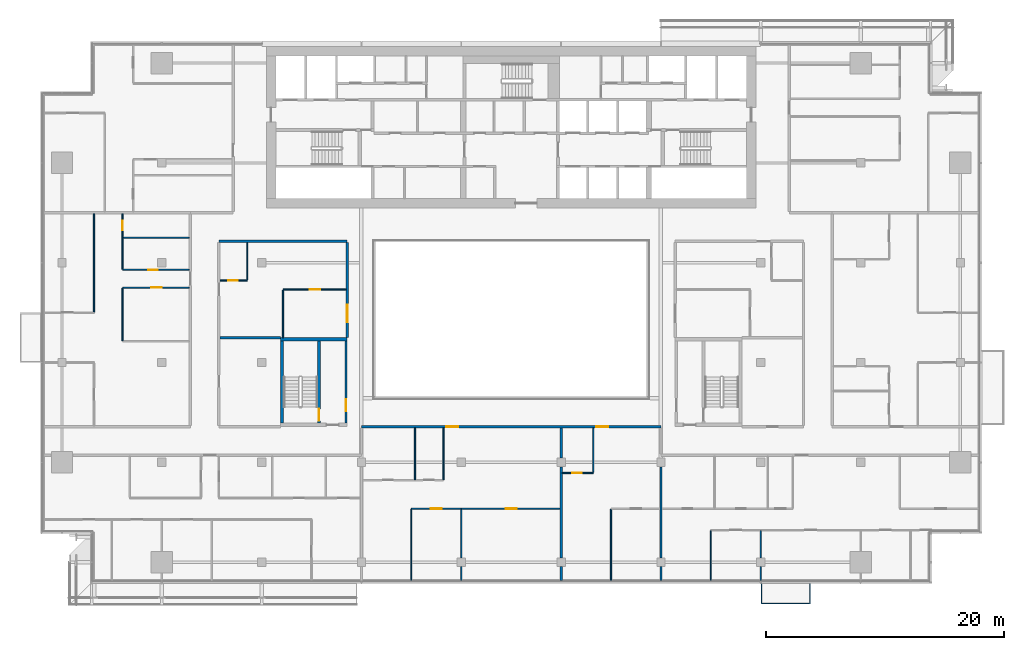
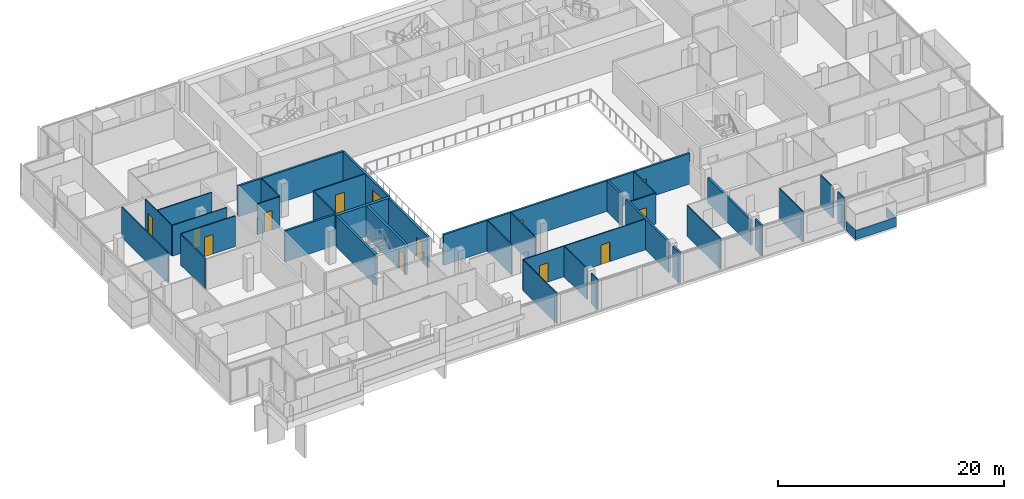
# One storey, part 18 of 30: 36 walls, 12 doors, 1 window, 13 openings.
"""IFC4 building model written with IfcOpenShell, lengths in metres."""

from ifc_helpers import new_model, si_unit, direction, frame, frame_2d, origin, place, context, subcontext, project, spatial, polyline, rectangle, outline, extrude, material, layer, layer_set, type_object, element, fill, save


model = new_model("IFC4")

# Units and contexts
model_context = context("Model", 3, precision=1e-05, world=origin(), true_north=direction((0.0, 1.0)))
body_context = subcontext(model_context, "Body", "Model", "MODEL_VIEW")
ifc_project = project(units=[si_unit("LENGTHUNIT", "METRE"), si_unit("AREAUNIT", "SQUARE_METRE"), si_unit("VOLUMEUNIT", "CUBIC_METRE"), si_unit("PLANEANGLEUNIT", "RADIAN"), si_unit("MASSUNIT", "GRAM", prefix="KILO")], contexts=[model_context])

# Site, building, storey
site_placement = place(None, origin())
site = spatial("IfcSite", under=ifc_project, at=site_placement, CompositionType="ELEMENT")
building_placement = place(site_placement, origin())
building = spatial("IfcBuilding", under=site, at=building_placement, Name="Saffron Gate Tower", CompositionType="ELEMENT")
storey_placement = place(building_placement, frame((0.0, 0.0, 169.050048828125)))
storey = spatial("IfcBuildingStorey", under=building, at=storey_placement, Name="L41", CompositionType="ELEMENT", Elevation=169.050048828125)

# Wall, opening, door
ifc_material_1 = material(Name="Gypsum board partition on steel studs", Category="steel")
ifc_layer_1 = layer(ifc_material_1, 0.199951171875)
ifc_layer_set_1 = layer_set([ifc_layer_1], Name="CW10 Core partition 200")
wall_type_1 = type_object("IfcWallType", Name="CW10 Core partition 200", PredefinedType="PARTITIONING", material=ifc_layer_set_1)
wall_1_placement = place(storey_placement, frame((73.699951171875, 43.5, 0.0), z_axis=(0.0, 0.0, 1.0), x_axis=(0.0, 1.0, 0.0)))
wall_1 = element("IfcWall", 1, at=wall_1_placement, inside=storey, type_object=wall_type_1, Name="Wall CW10-L41-D-4", PredefinedType="PARTITIONING", context=body_context, shape_type="SweptSolid", body=[
    extrude(rectangle(XDim=6.89990234375, YDim=0.199951171875, at=frame_2d((3.449951171875, 0.0))), origin(), (0.0, 0.0, 1.0), 3.320068359375),
])
opening_1_placement = place(wall_1_placement, frame((1.0, 0.0, 0.0)))
opening_1 = element("IfcOpeningElement", 2, at=opening_1_placement, cuts=wall_1, Name="Opening CR-19", PredefinedType="OPENING", context=body_context, shape_type="SweptSolid", body=[
    extrude(rectangle(XDim=1.0, YDim=2.10009765625, at=frame_2d((0.5, 1.050048828125))), frame((0.0, 0.10986328125, 0.0), z_axis=(0.0, -1.0, 0.0), x_axis=(1.0, 0.0, 0.0)), (0.0, 0.0, 1.0), 0.219970703125),
])
ifc_material_2 = material(Name="Steel fire door set", Category="steel")
door_type_1 = type_object("IfcDoorType", Name="CD4 Lobby door 1000x2100 EI 120", OperationType="NOTDEFINED", PredefinedType="DOOR", material=ifc_material_2)
door_1_placement = place(opening_1_placement, origin())
door_1 = element("IfcDoor", 3, at=door_1_placement, inside=storey, type_object=door_type_1, Name="DOOR CR-19", OperationType="SINGLE_SWING_RIGHT", OverallHeight=2.10009765625, OverallWidth=1.0, PredefinedType="DOOR", context=body_context, shape_type="SweptSolid", body=[
    extrude(rectangle(XDim=1.0, YDim=2.10009765625, at=frame_2d((0.5, 1.050048828125))), frame((0.0, 0.02490234375, 0.0), z_axis=(0.0, -1.0, 0.0), x_axis=(1.0, 0.0, 0.0)), (0.0, 0.0, 1.0), 0.050048828125),
])
fill(opening_1, door_1)

# Wall
ifc_material_3 = material(Name="Concrete C60", Category="concrete")
ifc_layer_2 = layer(ifc_material_3, 0.25)
ifc_layer_set_2 = layer_set([ifc_layer_2], Name="CW14 RC core wall 250 C60")
wall_type_2 = type_object("IfcWallType", Name="CW14 RC core wall 250 C60", PredefinedType="SOLIDWALL", material=ifc_layer_set_2)
wall_2_placement = place(storey_placement, frame((68.324951171875, 43.5, 0.0), z_axis=(0.0, 0.0, 1.0), x_axis=(0.0, 1.0, 0.0)))
element("IfcWall", 4, at=wall_2_placement, inside=storey, type_object=wall_type_2, Name="Wall CW14-L41-D-2", PredefinedType="SOLIDWALL", context=body_context, shape_type="SweptSolid", body=[
    extrude(rectangle(XDim=6.89990234375, YDim=0.25, at=frame_2d((3.449951171875, 0.0))), origin(), (0.0, 0.0, 1.0), 3.320068359375),
])

# Wall, opening, door
wall_3_placement = place(storey_placement, frame((71.425048828125, 43.5, 0.0), z_axis=(0.0, 0.0, 1.0), x_axis=(0.0, 1.0, 0.0)))
wall_3 = element("IfcWall", 5, at=wall_3_placement, inside=storey, type_object=wall_type_2, Name="Wall CW14-L41-D-3", PredefinedType="SOLIDWALL", context=body_context, shape_type="SweptSolid", body=[
    extrude(rectangle(XDim=6.89990234375, YDim=0.25, at=frame_2d((3.449951171875, 0.0))), origin(), (0.0, 0.0, 1.0), 3.320068359375),
])
opening_2_placement = place(wall_3_placement, frame((0.199951171875, 0.0, 0.0)))
opening_2 = element("IfcOpeningElement", 6, at=opening_2_placement, cuts=wall_3, Name="Opening CR-20", PredefinedType="OPENING", context=body_context, shape_type="SweptSolid", body=[
    extrude(rectangle(XDim=1.0, YDim=2.10009765625, at=frame_2d((0.5, 1.050048828125))), frame((0.0, 0.135009765625, 0.0), z_axis=(0.0, -1.0, 0.0), x_axis=(1.0, 0.0, 0.0)), (0.0, 0.0, 1.0), 0.27001953125),
])
door_type_2 = type_object("IfcDoorType", Name="CD5 Stair door 1000x2100 EI 120", OperationType="NOTDEFINED", PredefinedType="DOOR", material=ifc_material_2)
door_2_placement = place(opening_2_placement, origin())
door_2 = element("IfcDoor", 7, at=door_2_placement, inside=storey, type_object=door_type_2, Name="DOOR CR-20", OperationType="SINGLE_SWING_LEFT", OverallHeight=2.10009765625, OverallWidth=1.0, PredefinedType="DOOR", context=body_context, shape_type="SweptSolid", body=[
    extrude(rectangle(XDim=1.0, YDim=2.10009765625, at=frame_2d((0.5, 1.050048828125))), frame((0.0, 0.02490234375, 0.0), z_axis=(0.0, -1.0, 0.0), x_axis=(1.0, 0.0, 0.0)), (0.0, 0.0, 1.0), 0.050048828125),
])
fill(opening_2, door_2)

# Wall
ifc_layer_3 = layer(ifc_material_3, 0.300048828125)
ifc_layer_set_3 = layer_set([ifc_layer_3], Name="CW17 RC core wall 300 C60")
wall_type_3 = type_object("IfcWallType", Name="CW17 RC core wall 300 C60", PredefinedType="SOLIDWALL", material=ifc_layer_set_3)
wall_4_placement = place(storey_placement, frame((68.199951171875, 50.550048828125, 0.0), z_axis=(0.0, 0.0, 1.0), x_axis=(1.0, 0.0, 0.0)))
element("IfcWall", 8, at=wall_4_placement, inside=storey, type_object=wall_type_3, Name="Wall CW17-L41-D-5", PredefinedType="SOLIDWALL", context=body_context, shape_type="SweptSolid", body=[
    extrude(rectangle(XDim=5.60009765625, YDim=0.300048828125, at=frame_2d((2.800048828125, 0.0))), origin(), (0.0, 0.0, 1.0), 3.320068359375),
])

# Wall, openings, doors
ifc_material_4 = material(Name="Plasterboard on steel studs", Category="steel")
ifc_layer_4 = layer(ifc_material_4, 0.10009765625)
ifc_layer_set_4 = layer_set([ifc_layer_4], Name="PW1 Partition 100")
wall_type_4 = type_object("IfcWallType", Name="PW1 Partition 100", PredefinedType="PARTITIONING", material=ifc_layer_set_4)
wall_5_placement = place(storey_placement, frame((91.699951171875, 36.300048828125, 0.0), z_axis=(0.0, 0.0, 1.0), x_axis=(-1.0, 0.0, 0.0)))
wall_5 = element("IfcWall", 9, at=wall_5_placement, inside=storey, type_object=wall_type_4, Name="Partition C3-3", PredefinedType="PARTITIONING", context=body_context, shape_type="SweptSolid", body=[
    extrude(rectangle(XDim=12.5, YDim=0.10009765625, at=frame_2d((6.25, 0.0))), origin(), (0.0, 0.0, 1.0), 3.320068359375),
])
opening_3_placement = place(wall_5_placement, frame((3.64990234375, 0.0, 0.0)))
opening_3 = element("IfcOpeningElement", 10, at=opening_3_placement, cuts=wall_5, Name="Opening C3-18", PredefinedType="OPENING", context=body_context, shape_type="SweptSolid", body=[
    extrude(rectangle(XDim=0.89990234375, YDim=2.10009765625, at=frame_2d((0.449951171875, 1.050048828125))), frame((0.0, 0.06005859375, 0.0), z_axis=(0.0, -1.0, 0.0), x_axis=(1.0, 0.0, 0.0)), (0.0, 0.0, 1.0), 0.1201171875),
])
opening_4_placement = place(wall_5_placement, frame((9.949951171875, 0.0, 0.0)))
opening_4 = element("IfcOpeningElement", 11, at=opening_4_placement, cuts=wall_5, Name="Opening C3-17", PredefinedType="OPENING", context=body_context, shape_type="SweptSolid", body=[
    extrude(rectangle(XDim=0.89990234375, YDim=2.10009765625, at=frame_2d((0.449951171875, 1.050048828125))), frame((0.0, 0.06005859375, 0.0), z_axis=(0.0, -1.0, 0.0), x_axis=(1.0, 0.0, 0.0)), (0.0, 0.0, 1.0), 0.1201171875),
])
ifc_material_5 = material(Name="Timber door set", Category="wood")
door_type_3 = type_object("IfcDoorType", Name="RD1 Room door 900x2100", OperationType="NOTDEFINED", PredefinedType="DOOR", material=ifc_material_5)
door_3_placement = place(opening_3_placement, origin())
door_3 = element("IfcDoor", 12, at=door_3_placement, inside=storey, type_object=door_type_3, Name="Door C3-18", OperationType="SINGLE_SWING_LEFT", OverallHeight=2.10009765625, OverallWidth=0.89990234375, PredefinedType="DOOR", context=body_context, shape_type="SweptSolid", body=[
    extrude(rectangle(XDim=0.89990234375, YDim=2.10009765625, at=frame_2d((0.449951171875, 1.050048828125))), frame((0.0, 0.02490234375, 0.0), z_axis=(0.0, -1.0, 0.0), x_axis=(1.0, 0.0, 0.0)), (0.0, 0.0, 1.0), 0.050048828125),
])
fill(opening_3, door_3)
door_4_placement = place(opening_4_placement, origin())
door_4 = element("IfcDoor", 13, at=door_4_placement, inside=storey, type_object=door_type_3, Name="Door C3-17", OperationType="SINGLE_SWING_LEFT", OverallHeight=2.10009765625, OverallWidth=0.89990234375, PredefinedType="DOOR", context=body_context, shape_type="SweptSolid", body=[
    extrude(rectangle(XDim=0.89990234375, YDim=2.10009765625, at=frame_2d((0.449951171875, 1.050048828125))), frame((0.0, 0.02490234375, 0.0), z_axis=(0.0, -1.0, 0.0), x_axis=(1.0, 0.0, 0.0)), (0.0, 0.0, 1.0), 0.050048828125),
])
fill(opening_4, door_4)

# Wall, opening, door
wall_6_placement = place(storey_placement, frame((91.89990234375, 39.300048828125, 0.0), z_axis=(0.0, 0.0, 1.0), x_axis=(1.0, 0.0, 0.0)))
wall_6 = element("IfcWall", 14, at=wall_6_placement, inside=storey, type_object=wall_type_4, Name="Partition C3-8", PredefinedType="PARTITIONING", context=body_context, shape_type="SweptSolid", body=[
    extrude(rectangle(XDim=2.60009765625, YDim=0.10009765625, at=frame_2d((1.300048828125, 0.0))), origin(), (0.0, 0.0, 1.0), 3.320068359375),
])
opening_5_placement = place(wall_6_placement, frame((0.85009765625, 0.0, 0.0)))
opening_5 = element("IfcOpeningElement", 15, at=opening_5_placement, cuts=wall_6, Name="Opening C3-44", PredefinedType="OPENING", context=body_context, shape_type="SweptSolid", body=[
    extrude(rectangle(XDim=0.800048828125, YDim=2.10009765625, at=frame_2d((0.39990234375, 1.050048828125))), frame((0.0, 0.06005859375, 0.0), z_axis=(0.0, -1.0, 0.0), x_axis=(1.0, 0.0, 0.0)), (0.0, 0.0, 1.0), 0.1201171875),
])
door_type_4 = type_object("IfcDoorType", Name="RD2 Bathroom door 800x2100", OperationType="NOTDEFINED", PredefinedType="DOOR", material=ifc_material_5)
door_5_placement = place(opening_5_placement, origin())
door_5 = element("IfcDoor", 16, at=door_5_placement, inside=storey, type_object=door_type_4, Name="Door C3-44", OperationType="SINGLE_SWING_LEFT", OverallHeight=2.10009765625, OverallWidth=0.800048828125, PredefinedType="DOOR", context=body_context, shape_type="SweptSolid", body=[
    extrude(rectangle(XDim=0.800048828125, YDim=2.10009765625, at=frame_2d((0.39990234375, 1.050048828125))), frame((0.0, 0.02490234375, 0.0), z_axis=(0.0, -1.0, 0.0), x_axis=(1.0, 0.0, 0.0)), (0.0, 0.0, 1.0), 0.050048828125),
])
fill(opening_5, door_5)

wall_7_placement = place(storey_placement, frame((73.699951171875, 54.75, 0.0), z_axis=(0.0, 0.0, 1.0), x_axis=(-1.0, 0.0, 0.0)))
wall_7 = element("IfcWall", 17, at=wall_7_placement, inside=storey, type_object=wall_type_4, Name="Partition C3-30", PredefinedType="PARTITIONING", context=body_context, shape_type="SweptSolid", body=[
    extrude(rectangle(XDim=5.300048828125, YDim=0.10009765625, at=frame_2d((2.64990234375, 0.0))), origin(), (0.0, 0.0, 1.0), 3.320068359375),
])
opening_6_placement = place(wall_7_placement, frame((2.14990234375, 0.0, 0.0)))
opening_6 = element("IfcOpeningElement", 18, at=opening_6_placement, cuts=wall_7, Name="Opening C3-38", PredefinedType="OPENING", context=body_context, shape_type="SweptSolid", body=[
    extrude(rectangle(XDim=0.89990234375, YDim=2.10009765625, at=frame_2d((0.449951171875, 1.050048828125))), frame((0.0, 0.06005859375, 0.0), z_axis=(0.0, -1.0, 0.0), x_axis=(1.0, 0.0, 0.0)), (0.0, 0.0, 1.0), 0.1201171875),
])
door_6_placement = place(opening_6_placement, origin())
door_6 = element("IfcDoor", 19, at=door_6_placement, inside=storey, type_object=door_type_3, Name="Door C3-38", OperationType="SINGLE_SWING_LEFT", OverallHeight=2.10009765625, OverallWidth=0.89990234375, PredefinedType="DOOR", context=body_context, shape_type="SweptSolid", body=[
    extrude(rectangle(XDim=0.89990234375, YDim=2.10009765625, at=frame_2d((0.449951171875, 1.050048828125))), frame((0.0, 0.02490234375, 0.0), z_axis=(0.0, -1.0, 0.0), x_axis=(1.0, 0.0, 0.0)), (0.0, 0.0, 1.0), 0.050048828125),
])
fill(opening_6, door_6)

wall_8_placement = place(storey_placement, frame((60.5, 54.89990234375, 0.0), z_axis=(0.0, 0.0, 1.0), x_axis=(-1.0, 0.0, 0.0)))
wall_8 = element("IfcWall", 20, at=wall_8_placement, inside=storey, type_object=wall_type_4, Name="Partition C3-32", PredefinedType="PARTITIONING", context=body_context, shape_type="SweptSolid", body=[
    extrude(rectangle(XDim=5.60009765625, YDim=0.10009765625, at=frame_2d((2.800048828125, 0.0))), origin(), (0.0, 0.0, 1.0), 3.320068359375),
])
opening_7_placement = place(wall_8_placement, frame((2.300048828125, 0.0, 0.0)))
opening_7 = element("IfcOpeningElement", 21, at=opening_7_placement, cuts=wall_8, Name="Opening C3-28", PredefinedType="OPENING", context=body_context, shape_type="SweptSolid", body=[
    extrude(rectangle(XDim=0.89990234375, YDim=2.10009765625, at=frame_2d((0.449951171875, 1.050048828125))), frame((0.0, 0.06005859375, 0.0), z_axis=(0.0, -1.0, 0.0), x_axis=(1.0, 0.0, 0.0)), (0.0, 0.0, 1.0), 0.1201171875),
])
door_7_placement = place(opening_7_placement, origin())
door_7 = element("IfcDoor", 22, at=door_7_placement, inside=storey, type_object=door_type_3, Name="Door C3-28", OperationType="SINGLE_SWING_LEFT", OverallHeight=2.10009765625, OverallWidth=0.89990234375, PredefinedType="DOOR", context=body_context, shape_type="SweptSolid", body=[
    extrude(rectangle(XDim=0.89990234375, YDim=2.10009765625, at=frame_2d((0.449951171875, 1.050048828125))), frame((0.0, 0.02490234375, 0.0), z_axis=(0.0, -1.0, 0.0), x_axis=(1.0, 0.0, 0.0)), (0.0, 0.0, 1.0), 0.050048828125),
])
fill(opening_7, door_7)

wall_9_placement = place(storey_placement, frame((63.10009765625, 55.5, 0.0), z_axis=(0.0, 0.0, 1.0), x_axis=(1.0, 0.0, 0.0)))
wall_9 = element("IfcWall", 23, at=wall_9_placement, inside=storey, type_object=wall_type_4, Name="Partition C3-33", PredefinedType="PARTITIONING", context=body_context, shape_type="SweptSolid", body=[
    extrude(rectangle(XDim=2.2998046875, YDim=0.10009765625, at=frame_2d((1.14990234375, 0.0))), origin(), (0.0, 0.0, 1.0), 3.320068359375),
])
opening_8_placement = place(wall_9_placement, frame((0.699951171875, 0.0, 0.0)))
opening_8 = element("IfcOpeningElement", 24, at=opening_8_placement, cuts=wall_9, Name="Opening C3-53", PredefinedType="OPENING", context=body_context, shape_type="SweptSolid", body=[
    extrude(rectangle(XDim=0.800048828125, YDim=2.10009765625, at=frame_2d((0.39990234375, 1.050048828125))), frame((0.0, 0.06005859375, 0.0), z_axis=(0.0, -1.0, 0.0), x_axis=(1.0, 0.0, 0.0)), (0.0, 0.0, 1.0), 0.1201171875),
])
door_8_placement = place(opening_8_placement, origin())
door_8 = element("IfcDoor", 25, at=door_8_placement, inside=storey, type_object=door_type_4, Name="Door C3-53", OperationType="SINGLE_SWING_LEFT", OverallHeight=2.10009765625, OverallWidth=0.800048828125, PredefinedType="DOOR", context=body_context, shape_type="SweptSolid", body=[
    extrude(rectangle(XDim=0.800048828125, YDim=2.10009765625, at=frame_2d((0.39990234375, 1.050048828125))), frame((0.0, 0.02490234375, 0.0), z_axis=(0.0, -1.0, 0.0), x_axis=(1.0, 0.0, 0.0)), (0.0, 0.0, 1.0), 0.050048828125),
])
fill(opening_8, door_8)

wall_10_placement = place(storey_placement, frame((54.89990234375, 56.39990234375, 0.0), z_axis=(0.0, 0.0, 1.0), x_axis=(1.0, 0.0, 0.0)))
wall_10 = element("IfcWall", 26, at=wall_10_placement, inside=storey, type_object=wall_type_4, Name="Partition C3-35", PredefinedType="PARTITIONING", context=body_context, shape_type="SweptSolid", body=[
    extrude(rectangle(XDim=5.60009765625, YDim=0.10009765625, at=frame_2d((2.800048828125, 0.0))), origin(), (0.0, 0.0, 1.0), 3.320068359375),
])
opening_9_placement = place(wall_10_placement, frame((2.14990234375, 0.0, 0.0)))
opening_9 = element("IfcOpeningElement", 27, at=opening_9_placement, cuts=wall_10, Name="Opening C3-47", PredefinedType="OPENING", context=body_context, shape_type="SweptSolid", body=[
    extrude(rectangle(XDim=0.800048828125, YDim=2.10009765625, at=frame_2d((0.39990234375, 1.050048828125))), frame((0.0, 0.06005859375, 0.0), z_axis=(0.0, -1.0, 0.0), x_axis=(1.0, 0.0, 0.0)), (0.0, 0.0, 1.0), 0.1201171875),
])
door_9_placement = place(opening_9_placement, origin())
door_9 = element("IfcDoor", 28, at=door_9_placement, inside=storey, type_object=door_type_4, Name="Door C3-47", OperationType="SINGLE_SWING_LEFT", OverallHeight=2.10009765625, OverallWidth=0.800048828125, PredefinedType="DOOR", context=body_context, shape_type="SweptSolid", body=[
    extrude(rectangle(XDim=0.800048828125, YDim=2.10009765625, at=frame_2d((0.39990234375, 1.050048828125))), frame((0.0, 0.02490234375, 0.0), z_axis=(0.0, -1.0, 0.0), x_axis=(1.0, 0.0, 0.0)), (0.0, 0.0, 1.0), 0.050048828125),
])
fill(opening_9, door_9)

# Walls
wall_11_placement = place(storey_placement, frame((54.949951171875, 59.10009765625, 0.0), z_axis=(0.0, 0.0, 1.0), x_axis=(1.0, 0.0, 0.0)))
element("IfcWall", 29, at=wall_11_placement, inside=storey, type_object=wall_type_4, Name="Partition C3-40", PredefinedType="PARTITIONING", context=body_context, shape_type="SweptSolid", body=[
    extrude(rectangle(XDim=5.550048828125, YDim=0.10009765625, at=frame_2d((2.77490234375, 0.0))), origin(), (0.0, 0.0, 1.0), 3.320068359375),
])
wall_12_placement = place(storey_placement, frame((52.5, 61.10009765625, 0.0), z_axis=(0.0, 0.0, 1.0), x_axis=(0.0, -1.0, 0.0)))
element("IfcWall", 30, at=wall_12_placement, inside=storey, type_object=wall_type_4, Name="Partition C3-58", PredefinedType="PARTITIONING", context=body_context, shape_type="SweptSolid", body=[
    extrude(rectangle(XDim=8.25, YDim=0.10009765625, at=frame_2d((4.125, 0.0))), origin(), (0.0, 0.0, 1.0), 3.320068359375),
])
wall_13_placement = place(storey_placement, frame((54.89990234375, 54.85009765625, 0.0), z_axis=(0.0, 0.0, 1.0), x_axis=(0.0, -1.0, 0.0)))
element("IfcWall", 31, at=wall_13_placement, inside=storey, type_object=wall_type_4, Name="Partition C3-61", PredefinedType="PARTITIONING", context=body_context, shape_type="SweptSolid", body=[
    extrude(rectangle(XDim=4.406982421875, YDim=0.10009765625, at=frame_2d((2.20361328125, 0.0))), origin(), (0.0, 0.0, 1.0), 3.320068359375),
])

# Wall, opening, door
wall_14_placement = place(storey_placement, frame((54.89990234375, 61.10009765625, 0.0), z_axis=(0.0, 0.0, 1.0), x_axis=(0.0, -1.0, 0.0)))
wall_14 = element("IfcWall", 32, at=wall_14_placement, inside=storey, type_object=wall_type_4, Name="Partition C3-62", PredefinedType="PARTITIONING", context=body_context, shape_type="SweptSolid", body=[
    extrude(rectangle(XDim=4.650146484375, YDim=0.10009765625, at=frame_2d((2.3251953125, 0.0))), origin(), (0.0, 0.0, 1.0), 3.320068359375),
])
opening_10_placement = place(wall_14_placement, frame((0.550048828125, 0.0, 0.0)))
opening_10 = element("IfcOpeningElement", 33, at=opening_10_placement, cuts=wall_14, Name="Opening C3-48", PredefinedType="OPENING", context=body_context, shape_type="SweptSolid", body=[
    extrude(rectangle(XDim=0.800048828125, YDim=2.10009765625, at=frame_2d((0.39990234375, 1.050048828125))), frame((0.0, 0.06005859375, 0.0), z_axis=(0.0, -1.0, 0.0), x_axis=(1.0, 0.0, 0.0)), (0.0, 0.0, 1.0), 0.1201171875),
])
door_10_placement = place(opening_10_placement, origin())
door_10 = element("IfcDoor", 34, at=door_10_placement, inside=storey, type_object=door_type_4, Name="Door C3-48", OperationType="SINGLE_SWING_LEFT", OverallHeight=2.10009765625, OverallWidth=0.800048828125, PredefinedType="DOOR", context=body_context, shape_type="SweptSolid", body=[
    extrude(rectangle(XDim=0.800048828125, YDim=2.10009765625, at=frame_2d((0.39990234375, 1.050048828125))), frame((0.0, 0.02490234375, 0.0), z_axis=(0.0, -1.0, 0.0), x_axis=(1.0, 0.0, 0.0)), (0.0, 0.0, 1.0), 0.050048828125),
])
fill(opening_10, door_10)

# Walls
wall_15_placement = place(storey_placement, frame((65.39990234375, 58.699951171875, 0.0), z_axis=(0.0, 0.0, 1.0), x_axis=(0.0, -1.0, 0.0)))
element("IfcWall", 35, at=wall_15_placement, inside=storey, type_object=wall_type_4, Name="Partition C3-74", PredefinedType="PARTITIONING", context=body_context, shape_type="SweptSolid", body=[
    extrude(rectangle(XDim=3.14990234375, YDim=0.10009765625, at=frame_2d((1.574951171875, 0.0))), origin(), (0.0, 0.0, 1.0), 3.320068359375),
])
wall_16_placement = place(storey_placement, frame((68.39990234375, 54.699951171875, 0.0), z_axis=(0.0, 0.0, 1.0), x_axis=(0.0, -1.0, 0.0)))
element("IfcWall", 36, at=wall_16_placement, inside=storey, type_object=wall_type_4, Name="Partition C3-76", PredefinedType="PARTITIONING", context=body_context, shape_type="SweptSolid", body=[
    extrude(rectangle(XDim=4.0, YDim=0.10009765625, at=frame_2d((2.0, 0.0))), origin(), (0.0, 0.0, 1.0), 3.320068359375),
])
wall_17_placement = place(storey_placement, frame((79.199951171875, 36.25, 0.0), z_axis=(0.0, 0.0, 1.0), x_axis=(0.0, -1.0, 0.0)))
element("IfcWall", 37, at=wall_17_placement, inside=storey, type_object=wall_type_4, Name="Partition C3-83", PredefinedType="PARTITIONING", context=body_context, shape_type="SweptSolid", body=[
    extrude(rectangle(XDim=5.969970703125, YDim=0.10009765625, at=frame_2d((2.98486328125, 0.0))), origin(), (0.0, 0.0, 1.0), 3.320068359375),
])
for number, where, z_axis, x_axis, name in (
    (38, (79.5, 43.10009765625, 0.0), (0.0, 0.0, 1.0), (0.0, -1.0, 0.0), "Partition C3-84"),
    (39, (81.89990234375, 43.10009765625, 0.0), (0.0, 0.0, 1.0), (0.0, -1.0, 0.0), "Partition C3-85"),
):
    element("IfcWall", number, at=place(storey_placement, frame(where, z_axis=z_axis, x_axis=x_axis)), inside=storey, type_object=wall_type_4, Name=name, PredefinedType="PARTITIONING", context=body_context, shape_type="SweptSolid", body=[
        extrude(rectangle(XDim=4.35009765625, YDim=0.10009765625, at=frame_2d((2.175048828125, 0.0))), origin(), (0.0, 0.0, 1.0), 3.320068359375),
    ])
wall_18_placement = place(storey_placement, frame((83.39990234375, 31.429931640625, 0.0), z_axis=(0.0, 0.0, 1.0), x_axis=(0.0, -1.0, 0.0)))
element("IfcWall", 40, at=wall_18_placement, inside=storey, type_object=wall_type_4, Name="Partition C3-86", PredefinedType="PARTITIONING", context=body_context, shape_type="SweptSolid", body=[
    extrude(rectangle(XDim=1.14990234375, YDim=0.10009765625, at=frame_2d((0.574951171875, 0.0))), origin(), (0.0, 0.0, 1.0), 3.320068359375),
])
wall_19_placement = place(storey_placement, frame((83.39990234375, 36.25, 0.0), z_axis=(0.0, 0.0, 1.0), x_axis=(0.0, -1.0, 0.0)))
element("IfcWall", 41, at=wall_19_placement, inside=storey, type_object=wall_type_4, Name="Partition C3-87", PredefinedType="PARTITIONING", context=body_context, shape_type="SweptSolid", body=[
    extrude(rectangle(XDim=4.080078125, YDim=0.10009765625, at=frame_2d((2.0400390625, 0.0))), origin(), (0.0, 0.0, 1.0), 3.320068359375),
])
wall_20_placement = place(storey_placement, frame((94.5, 43.10009765625, 0.0), z_axis=(0.0, 0.0, 1.0), x_axis=(0.0, -1.0, 0.0)))
element("IfcWall", 42, at=wall_20_placement, inside=storey, type_object=wall_type_4, Name="Partition C3-91", PredefinedType="PARTITIONING", context=body_context, shape_type="SweptSolid", body=[
    extrude(rectangle(XDim=3.75, YDim=0.10009765625, at=frame_2d((1.875, 0.0))), origin(), (0.0, 0.0, 1.0), 3.320068359375),
])
wall_21_placement = place(storey_placement, frame((96.0, 36.25, 0.0), z_axis=(0.0, 0.0, 1.0), x_axis=(0.0, -1.0, 0.0)))
element("IfcWall", 43, at=wall_21_placement, inside=storey, type_object=wall_type_4, Name="Partition C3-92", PredefinedType="PARTITIONING", context=body_context, shape_type="SweptSolid", body=[
    extrude(rectangle(XDim=5.969970703125, YDim=0.10009765625, at=frame_2d((2.98486328125, 0.0))), origin(), (0.0, 0.0, 1.0), 3.320068359375),
])
wall_22_placement = place(storey_placement, frame((104.39990234375, 34.449951171875, 0.0), z_axis=(0.0, 0.0, 1.0), x_axis=(0.0, -1.0, 0.0)))
element("IfcWall", 44, at=wall_22_placement, inside=storey, type_object=wall_type_4, Name="Partition C3-97", PredefinedType="PARTITIONING", context=body_context, shape_type="SweptSolid", body=[
    extrude(rectangle(XDim=4.169921875, YDim=0.10009765625, at=frame_2d((2.0849609375, 0.0))), origin(), (0.0, 0.0, 1.0), 3.320068359375),
])
wall_23_placement = place(storey_placement, frame((108.60009765625, 31.429931640625, 0.0), z_axis=(0.0, 0.0, 1.0), x_axis=(0.0, -1.0, 0.0)))
element("IfcWall", 45, at=wall_23_placement, inside=storey, type_object=wall_type_4, Name="Partition C3-100", PredefinedType="PARTITIONING", context=body_context, shape_type="SweptSolid", body=[
    extrude(rectangle(XDim=1.14990234375, YDim=0.10009765625, at=frame_2d((0.574951171875, 0.0))), origin(), (0.0, 0.0, 1.0), 3.320068359375),
])
wall_24_placement = place(storey_placement, frame((108.60009765625, 34.449951171875, 0.0), z_axis=(0.0, 0.0, 1.0), x_axis=(0.0, -1.0, 0.0)))
element("IfcWall", 46, at=wall_24_placement, inside=storey, type_object=wall_type_4, Name="Partition C3-101", PredefinedType="PARTITIONING", context=body_context, shape_type="SweptSolid", body=[
    extrude(rectangle(XDim=2.280029296875, YDim=0.10009765625, at=frame_2d((1.14013671875, 0.0))), origin(), (0.0, 0.0, 1.0), 3.320068359375),
])
ifc_material_6 = material(Name="Clay brick masonry, rendered", Category="masonry")
ifc_layer_5 = layer(ifc_material_6, 0.199951171875)
ifc_layer_set_5 = layer_set([ifc_layer_5], Name="PW2 Demising wall 200")
wall_type_5 = type_object("IfcWallType", Name="PW2 Demising wall 200", PredefinedType="PARTITIONING", material=ifc_layer_set_5)
wall_25_placement = place(storey_placement, frame((63.10009765625, 50.699951171875, 0.0), z_axis=(0.0, 0.0, 1.0), x_axis=(1.0, 0.0, 0.0)))
element("IfcWall", 47, at=wall_25_placement, inside=storey, type_object=wall_type_5, Name="Wall C3-26", PredefinedType="PARTITIONING", context=body_context, shape_type="SweptSolid", body=[
    extrude(rectangle(XDim=5.099853515625, YDim=0.199951171875, at=frame_2d((2.5498046875, 0.0))), origin(), (0.0, 0.0, 1.0), 3.320068359375),
])
wall_26_placement = place(storey_placement, frame((91.800048828125, 31.429931640625, 0.0), z_axis=(0.0, 0.0, 1.0), x_axis=(0.0, -1.0, 0.0)))
element("IfcWall", 48, at=wall_26_placement, inside=storey, type_object=wall_type_5, Name="Wall C3-88", PredefinedType="PARTITIONING", context=body_context, shape_type="SweptSolid", body=[
    extrude(rectangle(XDim=1.14990234375, YDim=0.199951171875, at=frame_2d((0.574951171875, 0.0))), origin(), (0.0, 0.0, 1.0), 3.320068359375),
])
wall_27_placement = place(storey_placement, frame((91.800048828125, 39.830078125, 0.0), z_axis=(0.0, 0.0, 1.0), x_axis=(0.0, -1.0, 0.0)))
element("IfcWall", 49, at=wall_27_placement, inside=storey, type_object=wall_type_5, Name="Wall C3-89", PredefinedType="PARTITIONING", context=body_context, shape_type="SweptSolid", body=[
    extrude(rectangle(XDim=7.66015625, YDim=0.199951171875, at=frame_2d((3.830078125, 0.0))), origin(), (0.0, 0.0, 1.0), 3.320068359375),
])
wall_28_placement = place(storey_placement, frame((91.800048828125, 43.10009765625, 0.0), z_axis=(0.0, 0.0, 1.0), x_axis=(0.0, -1.0, 0.0)))
element("IfcWall", 50, at=wall_28_placement, inside=storey, type_object=wall_type_5, Name="Wall C3-90", PredefinedType="PARTITIONING", context=body_context, shape_type="SweptSolid", body=[
    extrude(rectangle(XDim=2.530029296875, YDim=0.199951171875, at=frame_2d((1.26513671875, 0.0))), origin(), (0.0, 0.0, 1.0), 3.320068359375),
])
wall_29_placement = place(storey_placement, frame((100.199951171875, 31.429931640625, 0.0), z_axis=(0.0, 0.0, 1.0), x_axis=(0.0, -1.0, 0.0)))
element("IfcWall", 51, at=wall_29_placement, inside=storey, type_object=wall_type_5, Name="Wall C3-94", PredefinedType="PARTITIONING", context=body_context, shape_type="SweptSolid", body=[
    extrude(rectangle(XDim=1.14990234375, YDim=0.199951171875, at=frame_2d((0.574951171875, 0.0))), origin(), (0.0, 0.0, 1.0), 3.320068359375),
])
wall_30_placement = place(storey_placement, frame((100.199951171875, 39.830078125, 0.0), z_axis=(0.0, 0.0, 1.0), x_axis=(0.0, -1.0, 0.0)))
element("IfcWall", 52, at=wall_30_placement, inside=storey, type_object=wall_type_5, Name="Wall C3-95", PredefinedType="PARTITIONING", context=body_context, shape_type="SweptSolid", body=[
    extrude(rectangle(XDim=7.66015625, YDim=0.199951171875, at=frame_2d((3.830078125, 0.0))), origin(), (0.0, 0.0, 1.0), 2.719970703125),
])

# Wall, openings, doors
ifc_layer_6 = layer(ifc_material_6, 0.199951171875)
ifc_layer_set_6 = layer_set([ifc_layer_6], Name="PW3 Corridor wall 200")
wall_type_6 = type_object("IfcWallType", Name="PW3 Corridor wall 200", PredefinedType="PARTITIONING", material=ifc_layer_set_6)
wall_31_placement = place(storey_placement, frame((100.199951171875, 43.199951171875, 0.0), z_axis=(0.0, 0.0, 1.0), x_axis=(-1.0, 0.0, 0.0)))
wall_31 = element("IfcWall", 53, at=wall_31_placement, inside=storey, type_object=wall_type_6, Name="Wall C3-15", PredefinedType="PARTITIONING", context=body_context, shape_type="SweptSolid", body=[
    extrude(rectangle(XDim=25.199951171875, YDim=0.199951171875, at=frame_2d((12.60009765625, 0.0))), origin(), (0.0, 0.0, 1.0), 3.320068359375),
])
opening_11_placement = place(wall_31_placement, frame((4.449951171875, 0.0, 0.0)))
opening_11 = element("IfcOpeningElement", 54, at=opening_11_placement, cuts=wall_31, Name="Opening C3-3", PredefinedType="OPENING", context=body_context, shape_type="SweptSolid", body=[
    extrude(rectangle(XDim=1.0, YDim=2.10009765625, at=frame_2d((0.5, 1.050048828125))), frame((0.0, 0.10986328125, 0.0), z_axis=(0.0, -1.0, 0.0), x_axis=(1.0, 0.0, 0.0)), (0.0, 0.0, 1.0), 0.219970703125),
])
opening_12_placement = place(wall_31_placement, frame((17.050048828125, 0.0, 0.0)))
opening_12 = element("IfcOpeningElement", 55, at=opening_12_placement, cuts=wall_31, Name="Opening C3-2", PredefinedType="OPENING", context=body_context, shape_type="SweptSolid", body=[
    extrude(rectangle(XDim=1.0, YDim=2.10009765625, at=frame_2d((0.5, 1.050048828125))), frame((0.0, 0.10986328125, 0.0), z_axis=(0.0, -1.0, 0.0), x_axis=(1.0, 0.0, 0.0)), (0.0, 0.0, 1.0), 0.219970703125),
])
ifc_material_7 = material(Name="Timber fire door set", Category="wood")
door_type_5 = type_object("IfcDoorType", Name="FD1 Flat entry door 1000x2100", OperationType="NOTDEFINED", PredefinedType="DOOR", material=ifc_material_7)
door_11_placement = place(opening_11_placement, origin())
door_11 = element("IfcDoor", 56, at=door_11_placement, inside=storey, type_object=door_type_5, Name="Door C3-3", OperationType="SINGLE_SWING_RIGHT", OverallHeight=2.10009765625, OverallWidth=1.0, PredefinedType="DOOR", context=body_context, shape_type="SweptSolid", body=[
    extrude(rectangle(XDim=1.0, YDim=2.10009765625, at=frame_2d((0.5, 1.050048828125))), frame((0.0, 0.02490234375, 0.0), z_axis=(0.0, -1.0, 0.0), x_axis=(1.0, 0.0, 0.0)), (0.0, 0.0, 1.0), 0.050048828125),
])
fill(opening_11, door_11)
door_12_placement = place(opening_12_placement, origin())
door_12 = element("IfcDoor", 57, at=door_12_placement, inside=storey, type_object=door_type_5, Name="Door C3-2", OperationType="SINGLE_SWING_RIGHT", OverallHeight=2.10009765625, OverallWidth=1.0, PredefinedType="DOOR", context=body_context, shape_type="SweptSolid", body=[
    extrude(rectangle(XDim=1.0, YDim=2.10009765625, at=frame_2d((0.5, 1.050048828125))), frame((0.0, 0.02490234375, 0.0), z_axis=(0.0, -1.0, 0.0), x_axis=(1.0, 0.0, 0.0)), (0.0, 0.0, 1.0), 0.050048828125),
])
fill(opening_12, door_12)

# Wall
wall_32_placement = place(storey_placement, frame((63.0, 58.800048828125, 0.0), z_axis=(0.0, 0.0, 1.0), x_axis=(1.0, 0.0, 0.0)))
element("IfcWall", 58, at=wall_32_placement, inside=storey, type_object=wall_type_6, Name="Wall C3-38", PredefinedType="PARTITIONING", context=body_context, shape_type="SweptSolid", body=[
    extrude(rectangle(XDim=10.800048828125, YDim=0.199951171875, at=frame_2d((5.39990234375, 0.0))), origin(), (0.0, 0.0, 1.0), 3.320068359375),
])

# Wall, opening, window
wall_33_placement = place(storey_placement, frame((73.800048828125, 58.699951171875, 0.0), z_axis=(0.0, 0.0, 1.0), x_axis=(0.0, -1.0, 0.0)))
wall_33 = element("IfcWall", 59, at=wall_33_placement, inside=storey, type_object=wall_type_6, Name="Wall C3-79", PredefinedType="PARTITIONING", context=body_context, shape_type="SweptSolid", body=[
    extrude(rectangle(XDim=8.0, YDim=0.199951171875, at=frame_2d((4.0, 0.0))), origin(), (0.0, 0.0, 1.0), 3.320068359375),
])
opening_13_placement = place(wall_33_placement, frame((5.22509765625, 0.0, 0.89990234375)))
opening_13 = element("IfcOpeningElement", 60, at=opening_13_placement, cuts=wall_33, Name="Opening GW1", PredefinedType="OPENING", context=body_context, shape_type="SweptSolid", body=[
    extrude(rectangle(XDim=1.5, YDim=1.5, at=frame_2d((0.75, 0.75))), frame((0.0, 0.10986328125, 0.0), z_axis=(0.0, -1.0, 0.0), x_axis=(1.0, 0.0, 0.0)), (0.0, 0.0, 1.0), 0.219970703125),
])
ifc_material_8 = material(Name="Fire-resisting laminated glass in steel frame", Category="steel")
ifc_layer_7 = layer(ifc_material_8, 0.06005859375)
ifc_layer_set_7 = layer_set([ifc_layer_7], Name="GW1 Gallery window 1500x1500")
window_type = type_object("IfcWindowType", Name="GW1 Gallery window 1500x1500", PartitioningType="SINGLE_PANEL", PredefinedType="WINDOW", material=ifc_layer_set_7)
window_placement = place(opening_13_placement, origin())
window = element("IfcWindow", 61, at=window_placement, inside=storey, type_object=window_type, Name="GW1 window C3-J-B1", OverallHeight=1.5, OverallWidth=1.5, PartitioningType="SINGLE_PANEL", PredefinedType="WINDOW", context=body_context, shape_type="SweptSolid", body=[
    extrude(rectangle(XDim=1.5, YDim=1.5, at=frame_2d((0.75, 0.75))), frame((0.0, 0.030029296875, 0.0), z_axis=(0.0, -1.0, 0.0), x_axis=(1.0, 0.0, 0.0)), (0.0, 0.0, 1.0), 0.06005859375),
])
fill(opening_13, window)

# Wall
ifc_material_9 = material(Name="Rendered insulated panel, white")
ifc_layer_8 = layer(ifc_material_9, 0.10009765625)
ifc_layer_set_8 = layer_set([ifc_layer_8], Name="WB3 box parapet white")
wall_type_7 = type_object("IfcWallType", Name="WB3 box parapet white", PredefinedType="SOLIDWALL", material=ifc_layer_set_8)
wall_34_placement = place(storey_placement, origin())
element("IfcWall", 62, at=wall_34_placement, inside=storey, type_object=wall_type_7, Name="WINDOW BOX parapet", PredefinedType="SOLIDWALL", context=body_context, shape_type="SweptSolid", body=[
    extrude(outline(polyline([(108.60009765625, 30.0), (108.699951171875, 30.0), (108.699951171875, 28.366943359375), (112.699951171875, 28.366943359375), (112.699951171875, 30.0), (112.800048828125, 30.0), (112.800048828125, 28.26708984375), (108.60009765625, 28.26708984375), (108.60009765625, 30.0)])), origin(), (0.0, 0.0, 1.0), 1.0),
])

save(model, "model.ifc")
